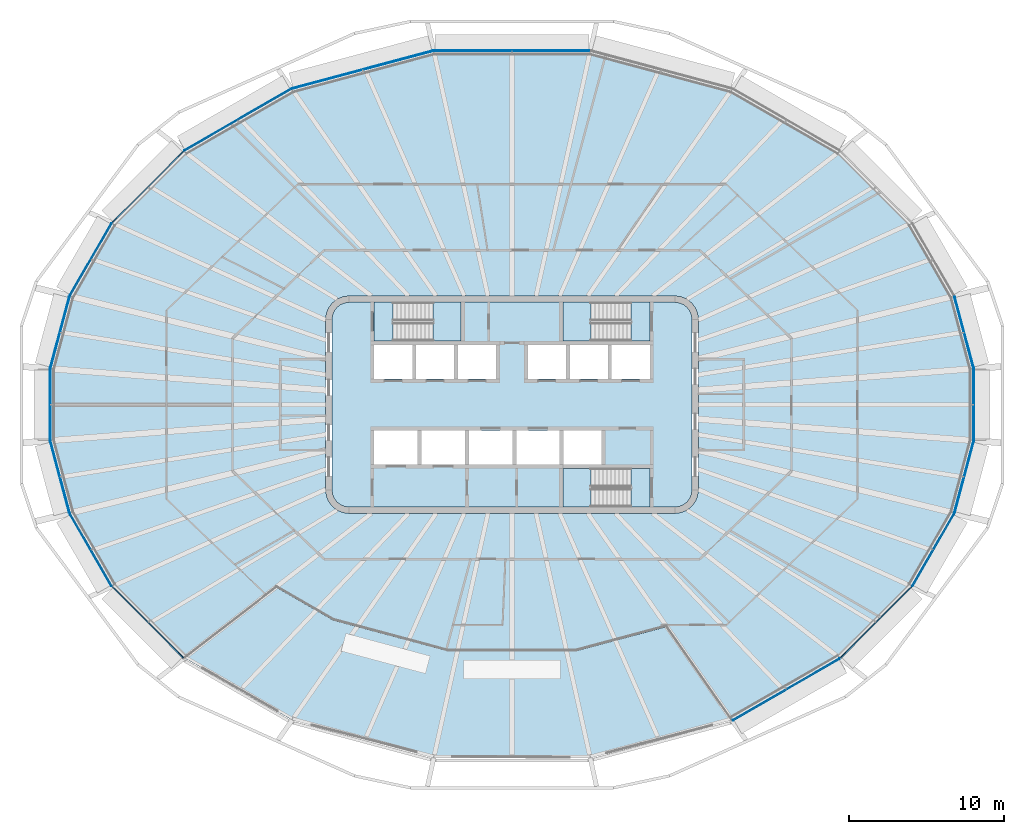
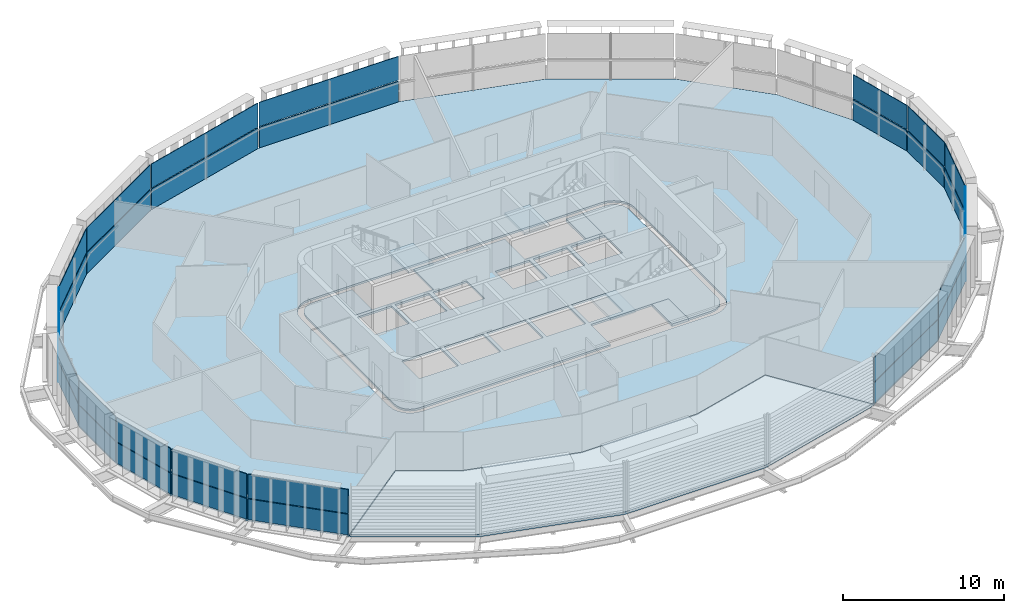
# One storey, part 9 of 20: 32 plates, 9 slabs, 19 elements without a shape of their own.
"""IFC4 building model written with IfcOpenShell, lengths in metres."""

from ifc_helpers import new_model, si_unit, direction, frame, origin, place, context, subcontext, project, spatial, polyline, outline, extrude, material, layer, layer_set, type_object, element, aggregate, save


model = new_model("IFC4")

# Units and contexts
model_context = context("Model", 3, precision=1e-05, world=origin(), true_north=direction((0.0, 1.0)))
body_context = subcontext(model_context, "Body", "Model", "MODEL_VIEW")
ifc_project = project(units=[si_unit("LENGTHUNIT", "METRE"), si_unit("AREAUNIT", "SQUARE_METRE"), si_unit("VOLUMEUNIT", "CUBIC_METRE"), si_unit("PLANEANGLEUNIT", "RADIAN"), si_unit("MASSUNIT", "GRAM", prefix="KILO")], contexts=[model_context])

# Site, building, storey
site_placement = place(None, origin())
site = spatial("IfcSite", under=ifc_project, at=site_placement, CompositionType="ELEMENT")
building_placement = place(site_placement, origin())
building = spatial("IfcBuilding", under=site, at=building_placement, Name="Sahrelin Media Tower", CompositionType="ELEMENT")
storey_placement = place(building_placement, frame((0.0, 0.0, 271.0)))
storey = spatial("IfcBuildingStorey", under=building, at=storey_placement, Name="L59", CompositionType="ELEMENT", Elevation=271.0)

# Slabs
ifc_material_1 = material(Name="Concrete C40/50", Category="concrete")
ifc_layer_1 = layer(ifc_material_1, 0.14990234375)
ifc_layer_set_1 = layer_set([ifc_layer_1], Name="Composite floor slab 150")
slab_type_1 = type_object("IfcSlabType", Name="Composite floor slab 150", PredefinedType="FLOOR", material=ifc_layer_set_1)
placement_1 = place(storey_placement, frame((0.0, 0.0, -0.14990234375)))
element("IfcSlab", 1, at=placement_1, inside=storey, type_object=slab_type_1, Name="Floor slab L59", PredefinedType="FLOOR", context=body_context, shape_type="SweptSolid", body=[
    extrude(outline(polyline([(28.4873046875, -6.983154296875), (29.73779296875, -2.31591796875), (29.73779296875, 2.31591796875), (28.4873046875, 6.983154296875), (25.760009765625, 11.707275390625), (21.13427734375, 16.3330078125), (14.18994140625, 20.34228515625), (5.04833984375, 22.791748046875), (-5.04833984375, 22.791748046875), (-14.18994140625, 20.34228515625), (-21.13427734375, 16.3330078125), (-25.760009765625, 11.707275390625), (-28.4873046875, 6.983154296875), (-29.73779296875, 2.31591796875), (-29.73779296875, -2.31591796875), (-28.4873046875, -6.983154296875), (-25.760009765625, -11.707275390625), (-21.13427734375, -16.3330078125), (-21.12939453125, -16.335693359375), (-15.161376953125, -11.7216796875), (-11.49560546875, -13.837890625), (-4.12939453125, -15.811767578125), (4.12939453125, -15.811767578125), (9.939697265625, -14.254638671875), (14.185302734375, -20.343505859375), (14.18994140625, -20.34228515625), (21.13427734375, -16.3330078125), (25.760009765625, -11.707275390625), (28.4873046875, -6.983154296875)]), holes=[polyline([(11.799072265625, 6.25), (11.948974609375, 5.88818359375), (12.0, 5.5), (12.0, -5.5), (11.948974609375, -5.88818359375), (11.799072265625, -6.25), (11.560791015625, -6.560791015625), (11.25, -6.799072265625), (10.88818359375, -6.948974609375), (10.5, -7.0), (-10.5, -7.0), (-10.88818359375, -6.948974609375), (-11.25, -6.799072265625), (-11.560791015625, -6.560791015625), (-11.799072265625, -6.25), (-11.948974609375, -5.88818359375), (-12.0, -5.5), (-12.0, 5.5), (-11.948974609375, 5.88818359375), (-11.799072265625, 6.25), (-11.560791015625, 6.560791015625), (-11.25, 6.799072265625), (-10.88818359375, 6.948974609375), (-10.5, 7.0), (10.5, 7.0), (10.88818359375, 6.948974609375), (11.25, 6.799072265625), (11.560791015625, 6.560791015625), (11.799072265625, 6.25)])]), origin(), (0.0, 0.0, 1.0), 0.14990234375),
])
ifc_layer_2 = layer(ifc_material_1, 0.14990234375)
ifc_layer_set_2 = layer_set([ifc_layer_2], Name="Core floor slab 150")
slab_type_2 = type_object("IfcSlabType", Name="Core floor slab 150", PredefinedType="FLOOR", material=ifc_layer_set_2)
element("IfcSlab", 2, at=placement_1, inside=storey, type_object=slab_type_2, Name="Core floor", PredefinedType="FLOOR", context=body_context, shape_type="SweptSolid", body=[
    extrude(outline(polyline([(-11.60009765625, -5.473876953125), (-11.55908203125, -5.78369140625), (-11.44970703125, -6.04833984375), (-11.275390625, -6.275390625), (-11.04833984375, -6.44970703125), (-10.78369140625, -6.55908203125), (-10.473876953125, -6.60009765625), (3.27490234375, -6.60009765625), (3.27490234375, -4.10009765625), (8.875, -4.10009765625), (8.875, -6.60009765625), (10.473876953125, -6.60009765625), (10.78369140625, -6.55908203125), (11.04833984375, -6.44970703125), (11.275390625, -6.275390625), (11.44970703125, -6.04833984375), (11.55908203125, -5.78369140625), (11.60009765625, -5.473876953125), (11.60009765625, 5.473876953125), (11.55908203125, 5.78369140625), (11.44970703125, 6.04833984375), (11.275390625, 6.275390625), (11.04833984375, 6.44970703125), (10.78369140625, 6.55908203125), (10.473876953125, 6.60009765625), (8.875, 6.60009765625), (8.875, 4.10009765625), (3.27490234375, 4.10009765625), (3.27490234375, 6.60009765625), (-3.27490234375, 6.60009765625), (-3.27490234375, 4.10009765625), (-8.875, 4.10009765625), (-8.875, 6.60009765625), (-10.473876953125, 6.60009765625), (-10.78369140625, 6.55908203125), (-11.04833984375, 6.44970703125), (-11.275390625, 6.275390625), (-11.44970703125, 6.04833984375), (-11.55908203125, 5.78369140625), (-11.60009765625, 5.473876953125), (-11.60009765625, -5.473876953125)]), holes=[polyline([(-8.875, 3.85009765625), (-8.875, 1.64990234375), (-6.425048828125, 1.64990234375), (-6.425048828125, 3.85009765625), (-8.875, 3.85009765625)]), polyline([(-3.72509765625, 3.85009765625), (-6.175048828125, 3.85009765625), (-6.175048828125, 1.64990234375), (-3.72509765625, 1.64990234375), (-3.72509765625, 3.85009765625)]), polyline([(-1.02490234375, 1.64990234375), (-1.02490234375, 3.85009765625), (-3.47509765625, 3.85009765625), (-3.47509765625, 1.64990234375), (-1.02490234375, 1.64990234375)]), polyline([(1.02490234375, 1.64990234375), (3.47509765625, 1.64990234375), (3.47509765625, 3.85009765625), (1.02490234375, 3.85009765625), (1.02490234375, 1.64990234375)]), polyline([(3.72509765625, 3.85009765625), (3.72509765625, 1.64990234375), (6.175048828125, 1.64990234375), (6.175048828125, 3.85009765625), (3.72509765625, 3.85009765625)]), polyline([(8.875, 3.85009765625), (6.425048828125, 3.85009765625), (6.425048828125, 1.64990234375), (8.875, 1.64990234375), (8.875, 3.85009765625)]), polyline([(-6.074951171875, -3.85009765625), (-6.074951171875, -1.64990234375), (-8.875, -1.64990234375), (-8.875, -3.85009765625), (-6.074951171875, -3.85009765625)]), polyline([(-5.824951171875, -3.85009765625), (-3.02490234375, -3.85009765625), (-3.02490234375, -1.64990234375), (-5.824951171875, -1.64990234375), (-5.824951171875, -3.85009765625)]), polyline([(-2.77490234375, -1.64990234375), (-2.77490234375, -3.85009765625), (0.02490234375, -3.85009765625), (0.02490234375, -1.64990234375), (-2.77490234375, -1.64990234375)]), polyline([(3.074951171875, -1.64990234375), (0.27490234375, -1.64990234375), (0.27490234375, -3.85009765625), (3.074951171875, -3.85009765625), (3.074951171875, -1.64990234375)]), polyline([(5.77490234375, -3.85009765625), (5.77490234375, -1.64990234375), (3.324951171875, -1.64990234375), (3.324951171875, -3.85009765625), (5.77490234375, -3.85009765625)])]), origin(), (0.0, 0.0, 1.0), 0.14990234375),
])

# Curtain wall, plate
ifc_material_2 = material(Name="Champagne anodised aluminium 6063-T6", Category="aluminium")
ifc_layer_3 = layer(ifc_material_2, 0.14990234375)
ifc_layer_set_3 = layer_set([ifc_layer_3], Name="Tower ribbon curtain wall")
curtain_wall_type = type_object("IfcCurtainWallType", Name="Tower ribbon curtain wall", PredefinedType="NOTDEFINED", material=ifc_layer_set_3)
curtain_wall_1_placement = place(storey_placement, frame((29.7578125, 0.0, 0.0), z_axis=(0.0, 0.0, 1.0), x_axis=(1.0, 0.0, 0.0)))
curtain_wall_1 = element("IfcCurtainWall", 3, at=curtain_wall_1_placement, inside=storey, type_object=curtain_wall_type, Name="L59:CW:L59-00", PredefinedType="NOTDEFINED")
ifc_material_3 = material(Name="Clear low-iron glazing", Category="glass")
ifc_layer_4 = layer(ifc_material_3, 0.048095703125)
ifc_layer_set_4 = layer_set([ifc_layer_4], Name="Glazing panel 48 mm CW1C")
plate_type_1 = type_object("IfcPlateType", Name="Glazing panel 48 mm CW1C", PredefinedType="CURTAIN_PANEL", material=ifc_layer_set_4)
plate_1_placement = place(storey_placement, frame((29.77783203125, -2.2685546875, 1.6298828125), z_axis=(1.0, 0.0, 0.0), x_axis=(0.0, 1.0, 0.0)))
plate_1 = element("IfcPlate", 4, at=plate_1_placement, type_object=plate_type_1, Name="L59:CWP2:L59-00", PredefinedType="CURTAIN_PANEL", context=body_context, shape_type="SweptSolid", body=[
    extrude(outline(polyline([(0.0, 0.0), (4.537109375, 0.0), (4.537109375, 1.818603515625), (0.0, 1.818603515625), (0.0, 0.0)])), origin(), (0.0, 0.0, -1.0), 0.048095703125),
])

curtain_wall_2_placement = place(storey_placement, frame((29.1318359375, 4.65478515625, 0.0), z_axis=(0.0, 0.0, 1.0), x_axis=(1.0, 0.0, 0.0)))
curtain_wall_2 = element("IfcCurtainWall", 5, at=curtain_wall_2_placement, inside=storey, type_object=curtain_wall_type, Name="L59:CW:L59-01", PredefinedType="NOTDEFINED")
plate_2_placement = place(storey_placement, frame((29.764404296875, 2.3720703125, 1.6298828125), z_axis=(0.965924586333, 0.258823672637, 0.0), x_axis=(-0.258823672637, 0.965924586333, 0.0)))
plate_2 = element("IfcPlate", 6, at=plate_2_placement, type_object=plate_type_1, Name="L59:CWP2:L59-01", PredefinedType="CURTAIN_PANEL", context=body_context, shape_type="SweptSolid", body=[
    extrude(outline(polyline([(0.0, 0.0), (4.737060546875, 0.0), (4.737060546875, 1.818603515625), (0.0, 1.818603515625), (0.0, 0.0)])), origin(), (0.0, 0.0, -1.0), 0.048095703125),
])

curtain_wall_3_placement = place(storey_placement, frame((0.0, 22.811767578125, 0.0), z_axis=(0.0, 0.0, 1.0), x_axis=(1.0, 0.0, 0.0)))
curtain_wall_3 = element("IfcCurtainWall", 7, at=curtain_wall_3_placement, inside=storey, type_object=curtain_wall_type, Name="L59:CW:L59-06", PredefinedType="NOTDEFINED")
plate_3_placement = place(storey_placement, frame((5.0009765625, 22.831787109375, 1.6298828125), z_axis=(0.0, 1.0, 0.0), x_axis=(-1.0, 0.0, 0.0)))
plate_3 = element("IfcPlate", 8, at=plate_3_placement, type_object=plate_type_1, Name="L59:CWP2:L59-06", PredefinedType="CURTAIN_PANEL", context=body_context, shape_type="SweptSolid", body=[
    extrude(outline(polyline([(0.0, 0.0), (10.001953125, 0.0), (10.001953125, 1.818603515625), (0.0, 1.818603515625), (0.0, 0.0)])), origin(), (0.0, 0.0, -1.0), 0.048095703125),
])

curtain_wall_4_placement = place(storey_placement, frame((-9.624267578125, 21.586181640625, 0.0), z_axis=(0.0, 0.0, 1.0), x_axis=(1.0, 0.0, 0.0)))
curtain_wall_4 = element("IfcCurtainWall", 9, at=curtain_wall_4_placement, inside=storey, type_object=curtain_wall_type, Name="L59:CW:L59-07", PredefinedType="NOTDEFINED")
plate_4_placement = place(storey_placement, frame((-5.1044921875, 22.818115234375, 1.6298828125), z_axis=(-0.258828560431, 0.965923276614, 0.0), x_axis=(-0.965923276614, -0.258828560431, 0.0)))
plate_4 = element("IfcPlate", 10, at=plate_4_placement, type_object=plate_type_1, Name="L59:CWP2:L59-07", PredefinedType="CURTAIN_PANEL", context=body_context, shape_type="SweptSolid", body=[
    extrude(outline(polyline([(0.0, 0.0), (9.369384765625, 0.0), (9.369384765625, 1.818603515625), (0.0, 1.818603515625), (0.0, 0.0)])), origin(), (0.0, 0.0, -1.0), 0.048095703125),
])

curtain_wall_5_placement = place(storey_placement, frame((-17.672119140625, 18.354736328125, 0.0), z_axis=(0.0, 0.0, 1.0), x_axis=(1.0, 0.0, 0.0)))
curtain_wall_5 = element("IfcCurtainWall", 11, at=curtain_wall_5_placement, inside=storey, type_object=curtain_wall_type, Name="L59:CW:L59-08", PredefinedType="NOTDEFINED")
plate_5_placement = place(storey_placement, frame((-14.2509765625, 20.35302734375, 1.6298828125), z_axis=(-0.499996271135, 0.866027556635, 0.0), x_axis=(-0.866027556635, -0.499996271135, 0.0)))
plate_5 = element("IfcPlate", 12, at=plate_5_placement, type_object=plate_type_1, Name="L59:CWP2:L59-08", PredefinedType="CURTAIN_PANEL", context=body_context, shape_type="SweptSolid", body=[
    extrude(outline(polyline([(0.0, 0.0), (7.923828125, 0.0), (7.923828125, 1.818603515625), (0.0, 1.818603515625), (0.0, 0.0)])), origin(), (0.0, 0.0, -1.0), 0.048095703125),
])

curtain_wall_6_placement = place(storey_placement, frame((-23.461181640625, 14.0341796875, 0.0), z_axis=(0.0, 0.0, 1.0), x_axis=(1.0, 0.0, 0.0)))
curtain_wall_6 = element("IfcCurtainWall", 13, at=curtain_wall_6_placement, inside=storey, type_object=curtain_wall_type, Name="L59:CW:L59-09", PredefinedType="NOTDEFINED")
plate_6_placement = place(storey_placement, frame((-21.196044921875, 16.32763671875, 1.6298828125), z_axis=(-0.707106781187, 0.707106781187, 0.0), x_axis=(-0.707106781187, -0.707106781187, 0.0)))
plate_6 = element("IfcPlate", 14, at=plate_6_placement, type_object=plate_type_1, Name="L59:CWP2:L59-09", PredefinedType="CURTAIN_PANEL", context=body_context, shape_type="SweptSolid", body=[
    extrude(outline(polyline([(0.0, 0.0), (6.44677734375, 0.0), (6.44677734375, 1.818603515625), (0.0, 1.818603515625), (0.0, 0.0)])), origin(), (0.0, 0.0, -1.0), 0.048095703125),
])

curtain_wall_7_placement = place(storey_placement, frame((-27.14111328125, 9.355224609375, 0.0), z_axis=(0.0, 0.0, 1.0), x_axis=(1.0, 0.0, 0.0)))
curtain_wall_7 = element("IfcCurtainWall", 15, at=curtain_wall_7_placement, inside=storey, type_object=curtain_wall_type, Name="L59:CW:L59-10", PredefinedType="NOTDEFINED")
plate_7_placement = place(storey_placement, frame((-25.818115234375, 11.686279296875, 1.6298828125), z_axis=(-0.866020236886, 0.500008949224, 0.0), x_axis=(-0.500008949224, -0.866020236886, 0.0)))
plate_7 = element("IfcPlate", 16, at=plate_7_placement, type_object=plate_type_1, Name="L59:CWP2:L59-10", PredefinedType="CURTAIN_PANEL", context=body_context, shape_type="SweptSolid", body=[
    extrude(outline(polyline([(0.0, 0.0), (5.3603515625, 0.0), (5.3603515625, 1.818603515625), (0.0, 1.818603515625), (0.0, 0.0)])), origin(), (0.0, 0.0, -1.0), 0.048095703125),
])

curtain_wall_8_placement = place(storey_placement, frame((-29.132080078125, 4.65478515625, 0.0), z_axis=(0.0, 0.0, 1.0), x_axis=(1.0, 0.0, 0.0)))
curtain_wall_8 = element("IfcCurtainWall", 17, at=curtain_wall_8_placement, inside=storey, type_object=curtain_wall_type, Name="L59:CW:L59-11", PredefinedType="NOTDEFINED")
plate_8_placement = place(storey_placement, frame((-28.538330078125, 6.94775390625, 1.6298828125), z_axis=(-0.965924586333, 0.258823672637, 0.0), x_axis=(-0.258823672637, -0.965924586333, 0.0)))
plate_8 = element("IfcPlate", 18, at=plate_8_placement, type_object=plate_type_1, Name="L59:CWP2:L59-11", PredefinedType="CURTAIN_PANEL", context=body_context, shape_type="SweptSolid", body=[
    extrude(outline(polyline([(0.0, 0.0), (4.737060546875, 0.0), (4.737060546875, 1.818603515625), (0.0, 1.818603515625), (0.0, 0.0)])), origin(), (0.0, 0.0, -1.0), 0.048095703125),
])

curtain_wall_9_placement = place(storey_placement, frame((-29.7578125, 0.0, 0.0), z_axis=(0.0, 0.0, 1.0), x_axis=(1.0, 0.0, 0.0)))
curtain_wall_9 = element("IfcCurtainWall", 19, at=curtain_wall_9_placement, inside=storey, type_object=curtain_wall_type, Name="L59:CW:L59-12", PredefinedType="NOTDEFINED")
plate_9_placement = place(storey_placement, frame((-29.77783203125, 2.2685546875, 1.6298828125), z_axis=(-1.0, 0.0, 0.0), x_axis=(0.0, -1.0, 0.0)))
plate_9 = element("IfcPlate", 20, at=plate_9_placement, type_object=plate_type_1, Name="L59:CWP2:L59-12", PredefinedType="CURTAIN_PANEL", context=body_context, shape_type="SweptSolid", body=[
    extrude(outline(polyline([(0.0, 0.0), (4.537109375, 0.0), (4.537109375, 1.818603515625), (0.0, 1.818603515625), (0.0, 0.0)])), origin(), (0.0, 0.0, -1.0), 0.048095703125),
])

curtain_wall_10_placement = place(storey_placement, frame((-29.1318359375, -4.65478515625, 0.0), z_axis=(0.0, 0.0, 1.0), x_axis=(1.0, 0.0, 0.0)))
curtain_wall_10 = element("IfcCurtainWall", 21, at=curtain_wall_10_placement, inside=storey, type_object=curtain_wall_type, Name="L59:CW:L59-13", PredefinedType="NOTDEFINED")
plate_10_placement = place(storey_placement, frame((-29.764404296875, -2.3720703125, 1.6298828125), z_axis=(-0.965924586333, -0.258823672637, 0.0), x_axis=(0.258823672637, -0.965924586333, 0.0)))
plate_10 = element("IfcPlate", 22, at=plate_10_placement, type_object=plate_type_1, Name="L59:CWP2:L59-13", PredefinedType="CURTAIN_PANEL", context=body_context, shape_type="SweptSolid", body=[
    extrude(outline(polyline([(0.0, 0.0), (4.737060546875, 0.0), (4.737060546875, 1.818603515625), (0.0, 1.818603515625), (0.0, 0.0)])), origin(), (0.0, 0.0, -1.0), 0.048095703125),
])

curtain_wall_11_placement = place(storey_placement, frame((-27.140869140625, -9.355224609375, 0.0), z_axis=(0.0, 0.0, 1.0), x_axis=(1.0, 0.0, 0.0)))
curtain_wall_11 = element("IfcCurtainWall", 23, at=curtain_wall_11_placement, inside=storey, type_object=curtain_wall_type, Name="L59:CW:L59-14", PredefinedType="NOTDEFINED")
plate_11_placement = place(storey_placement, frame((-28.498291015625, -7.044189453125, 1.6298828125), z_axis=(-0.866020236886, -0.500008949224, 0.0), x_axis=(0.500008949224, -0.866020236886, 0.0)))
plate_11 = element("IfcPlate", 24, at=plate_11_placement, type_object=plate_type_1, Name="L59:CWP2:L59-14", PredefinedType="CURTAIN_PANEL", context=body_context, shape_type="SweptSolid", body=[
    extrude(outline(polyline([(0.0, 0.0), (5.3603515625, 0.0), (5.3603515625, 1.818603515625), (0.0, 1.818603515625), (0.0, 0.0)])), origin(), (0.0, 0.0, -1.0), 0.048095703125),
])

curtain_wall_12_placement = place(storey_placement, frame((-23.461181640625, -14.0341796875, 0.0), z_axis=(0.0, 0.0, 1.0), x_axis=(1.0, 0.0, 0.0)))
curtain_wall_12 = element("IfcCurtainWall", 25, at=curtain_wall_12_placement, inside=storey, type_object=curtain_wall_type, Name="L59:CW:L59-15", PredefinedType="NOTDEFINED")
plate_12_placement = place(storey_placement, frame((-25.754638671875, -11.76904296875, 1.6298828125), z_axis=(-0.707106781187, -0.707106781187, 0.0), x_axis=(0.707106781187, -0.707106781187, 0.0)))
plate_12 = element("IfcPlate", 26, at=plate_12_placement, type_object=plate_type_1, Name="L59:CWP2:L59-15", PredefinedType="CURTAIN_PANEL", context=body_context, shape_type="SweptSolid", body=[
    extrude(outline(polyline([(0.0, 0.0), (6.44677734375, 0.0), (6.44677734375, 1.818603515625), (0.0, 1.818603515625), (0.0, 0.0)])), origin(), (0.0, 0.0, -1.0), 0.048095703125),
])

curtain_wall_13_placement = place(storey_placement, frame((17.672119140625, -18.354736328125, 0.0), z_axis=(0.0, 0.0, 1.0), x_axis=(1.0, 0.0, 0.0)))
curtain_wall_13 = element("IfcCurtainWall", 27, at=curtain_wall_13_placement, inside=storey, type_object=curtain_wall_type, Name="L59:CW:L59-20", PredefinedType="NOTDEFINED")
plate_13_placement = place(storey_placement, frame((14.2509765625, -20.35302734375, 1.6298828125), z_axis=(0.499996271135, -0.866027556635, 0.0), x_axis=(0.866027556635, 0.499996271135, 0.0)))
plate_13 = element("IfcPlate", 28, at=plate_13_placement, type_object=plate_type_1, Name="L59:CWP2:L59-20", PredefinedType="CURTAIN_PANEL", context=body_context, shape_type="SweptSolid", body=[
    extrude(outline(polyline([(0.0, 0.0), (7.923828125, 0.0), (7.923828125, 1.818603515625), (0.0, 1.818603515625), (0.0, 0.0)])), origin(), (0.0, 0.0, -1.0), 0.048095703125),
])

curtain_wall_14_placement = place(storey_placement, frame((23.461181640625, -14.0341796875, 0.0), z_axis=(0.0, 0.0, 1.0), x_axis=(1.0, 0.0, 0.0)))
curtain_wall_14 = element("IfcCurtainWall", 29, at=curtain_wall_14_placement, inside=storey, type_object=curtain_wall_type, Name="L59:CW:L59-21", PredefinedType="NOTDEFINED")
plate_14_placement = place(storey_placement, frame((21.196044921875, -16.32763671875, 1.6298828125), z_axis=(0.707106781187, -0.707106781187, 0.0), x_axis=(0.707106781187, 0.707106781187, 0.0)))
plate_14 = element("IfcPlate", 30, at=plate_14_placement, type_object=plate_type_1, Name="L59:CWP2:L59-21", PredefinedType="CURTAIN_PANEL", context=body_context, shape_type="SweptSolid", body=[
    extrude(outline(polyline([(0.0, 0.0), (6.44677734375, 0.0), (6.44677734375, 1.818603515625), (0.0, 1.818603515625), (0.0, 0.0)])), origin(), (0.0, 0.0, -1.0), 0.048095703125),
])

curtain_wall_15_placement = place(storey_placement, frame((27.14111328125, -9.355224609375, 0.0), z_axis=(0.0, 0.0, 1.0), x_axis=(1.0, 0.0, 0.0)))
curtain_wall_15 = element("IfcCurtainWall", 31, at=curtain_wall_15_placement, inside=storey, type_object=curtain_wall_type, Name="L59:CW:L59-22", PredefinedType="NOTDEFINED")
plate_15_placement = place(storey_placement, frame((25.818115234375, -11.686279296875, 1.6298828125), z_axis=(0.866020236886, -0.500008949224, 0.0), x_axis=(0.500008949224, 0.866020236886, 0.0)))
plate_15 = element("IfcPlate", 32, at=plate_15_placement, type_object=plate_type_1, Name="L59:CWP2:L59-22", PredefinedType="CURTAIN_PANEL", context=body_context, shape_type="SweptSolid", body=[
    extrude(outline(polyline([(0.0, 0.0), (5.3603515625, 0.0), (5.3603515625, 1.818603515625), (0.0, 1.818603515625), (0.0, 0.0)])), origin(), (0.0, 0.0, -1.0), 0.048095703125),
])

curtain_wall_16_placement = place(storey_placement, frame((29.132080078125, -4.65478515625, 0.0), z_axis=(0.0, 0.0, 1.0), x_axis=(1.0, 0.0, 0.0)))
curtain_wall_16 = element("IfcCurtainWall", 33, at=curtain_wall_16_placement, inside=storey, type_object=curtain_wall_type, Name="L59:CW:L59-23", PredefinedType="NOTDEFINED")
plate_16_placement = place(storey_placement, frame((28.538330078125, -6.94775390625, 1.6298828125), z_axis=(0.965924586333, -0.258823672637, 0.0), x_axis=(0.258823672637, 0.965924586333, 0.0)))
plate_16 = element("IfcPlate", 34, at=plate_16_placement, type_object=plate_type_1, Name="L59:CWP2:L59-23", PredefinedType="CURTAIN_PANEL", context=body_context, shape_type="SweptSolid", body=[
    extrude(outline(polyline([(0.0, 0.0), (4.737060546875, 0.0), (4.737060546875, 1.818603515625), (0.0, 1.818603515625), (0.0, 0.0)])), origin(), (0.0, 0.0, -1.0), 0.048095703125),
])

# Slab
ifc_layer_5 = layer(ifc_material_1, 0.199951171875)
ifc_layer_set_5 = layer_set([ifc_layer_5], Name="Sky garden terrace slab")
slab_type_3 = type_object("IfcSlabType", Name="Sky garden terrace slab", PredefinedType="FLOOR", material=ifc_layer_set_5)
placement_2 = place(storey_placement, frame((0.0, 0.0, -0.199951171875)))
element("IfcSlab", 35, at=placement_2, inside=storey, type_object=slab_type_3, Name="Sky garden terrace G5", PredefinedType="FLOOR", context=body_context, shape_type="SweptSolid", body=[
    extrude(outline(polyline([(-5.04443359375, -22.76171875), (-14.17822265625, -20.314208984375), (-21.056884765625, -16.343017578125), (-15.1572265625, -11.78173828125), (-11.514892578125, -13.884521484375), (-4.135986328125, -15.86181640625), (4.135986328125, -15.86181640625), (9.9189453125, -14.31201171875), (14.11572265625, -20.330810546875), (5.04443359375, -22.76171875), (-5.04443359375, -22.76171875)])), origin(), (0.0, 0.0, 1.0), 0.199951171875),
])

# Plate
ifc_material_4 = material(Name="Insulated spandrel panel")
ifc_layer_6 = layer(ifc_material_4, 0.06005859375)
ifc_layer_set_6 = layer_set([ifc_layer_6], Name="Spandrel panel 60 mm CW1")
plate_type_2 = type_object("IfcPlateType", Name="Spandrel panel 60 mm CW1", PredefinedType="SHEET", material=ifc_layer_set_6)
plate_17_placement = place(storey_placement, frame((29.77783203125, -2.2685546875, 0.0), z_axis=(1.0, 0.0, 0.0), x_axis=(0.0, 1.0, 0.0)))
plate_17 = element("IfcPlate", 36, at=plate_17_placement, type_object=plate_type_2, Name="L59:CWP1:L59-00", PredefinedType="SHEET", context=body_context, shape_type="SweptSolid", body=[
    extrude(outline(polyline([(0.0, 0.0), (4.537109375, 0.0), (4.537109375, 1.570068359375), (0.0, 1.570068359375), (0.0, 0.0)])), origin(), (0.0, 0.0, -1.0), 0.06005859375),
])

aggregate(curtain_wall_1, [plate_17, plate_1])

plate_18_placement = place(storey_placement, frame((29.764404296875, 2.3720703125, 0.0), z_axis=(0.965924586333, 0.258823672637, 0.0), x_axis=(-0.258823672637, 0.965924586333, 0.0)))
plate_18 = element("IfcPlate", 37, at=plate_18_placement, type_object=plate_type_2, Name="L59:CWP1:L59-01", PredefinedType="SHEET", context=body_context, shape_type="SweptSolid", body=[
    extrude(outline(polyline([(0.0, 0.0), (4.737060546875, 0.0), (4.737060546875, 1.570068359375), (0.0, 1.570068359375), (0.0, 0.0)])), origin(), (0.0, 0.0, -1.0), 0.06005859375),
])

aggregate(curtain_wall_2, [plate_18, plate_2])

plate_19_placement = place(storey_placement, frame((5.0009765625, 22.831787109375, 0.0), z_axis=(0.0, 1.0, 0.0), x_axis=(-1.0, 0.0, 0.0)))
plate_19 = element("IfcPlate", 38, at=plate_19_placement, type_object=plate_type_2, Name="L59:CWP1:L59-06", PredefinedType="SHEET", context=body_context, shape_type="SweptSolid", body=[
    extrude(outline(polyline([(0.0, 0.0), (10.001953125, 0.0), (10.001953125, 1.570068359375), (0.0, 1.570068359375), (0.0, 0.0)])), origin(), (0.0, 0.0, -1.0), 0.06005859375),
])

aggregate(curtain_wall_3, [plate_19, plate_3])

plate_20_placement = place(storey_placement, frame((-5.1044921875, 22.818115234375, 0.0), z_axis=(-0.258828560431, 0.965923276614, 0.0), x_axis=(-0.965923276614, -0.258828560431, 0.0)))
plate_20 = element("IfcPlate", 39, at=plate_20_placement, type_object=plate_type_2, Name="L59:CWP1:L59-07", PredefinedType="SHEET", context=body_context, shape_type="SweptSolid", body=[
    extrude(outline(polyline([(0.0, 0.0), (9.369384765625, 0.0), (9.369384765625, 1.570068359375), (0.0, 1.570068359375), (0.0, 0.0)])), origin(), (0.0, 0.0, -1.0), 0.06005859375),
])

aggregate(curtain_wall_4, [plate_20, plate_4])

plate_21_placement = place(storey_placement, frame((-14.2509765625, 20.35302734375, 0.0), z_axis=(-0.499996271135, 0.866027556635, 0.0), x_axis=(-0.866027556635, -0.499996271135, 0.0)))
plate_21 = element("IfcPlate", 40, at=plate_21_placement, type_object=plate_type_2, Name="L59:CWP1:L59-08", PredefinedType="SHEET", context=body_context, shape_type="SweptSolid", body=[
    extrude(outline(polyline([(0.0, 0.0), (7.923828125, 0.0), (7.923828125, 1.570068359375), (0.0, 1.570068359375), (0.0, 0.0)])), origin(), (0.0, 0.0, -1.0), 0.06005859375),
])

aggregate(curtain_wall_5, [plate_21, plate_5])

plate_22_placement = place(storey_placement, frame((-21.196044921875, 16.32763671875, 0.0), z_axis=(-0.707106781187, 0.707106781187, 0.0), x_axis=(-0.707106781187, -0.707106781187, 0.0)))
plate_22 = element("IfcPlate", 41, at=plate_22_placement, type_object=plate_type_2, Name="L59:CWP1:L59-09", PredefinedType="SHEET", context=body_context, shape_type="SweptSolid", body=[
    extrude(outline(polyline([(0.0, 0.0), (6.44677734375, 0.0), (6.44677734375, 1.570068359375), (0.0, 1.570068359375), (0.0, 0.0)])), origin(), (0.0, 0.0, -1.0), 0.06005859375),
])

aggregate(curtain_wall_6, [plate_22, plate_6])

plate_23_placement = place(storey_placement, frame((-25.818115234375, 11.686279296875, 0.0), z_axis=(-0.866020236886, 0.500008949224, 0.0), x_axis=(-0.500008949224, -0.866020236886, 0.0)))
plate_23 = element("IfcPlate", 42, at=plate_23_placement, type_object=plate_type_2, Name="L59:CWP1:L59-10", PredefinedType="SHEET", context=body_context, shape_type="SweptSolid", body=[
    extrude(outline(polyline([(0.0, 0.0), (5.3603515625, 0.0), (5.3603515625, 1.570068359375), (0.0, 1.570068359375), (0.0, 0.0)])), origin(), (0.0, 0.0, -1.0), 0.06005859375),
])

aggregate(curtain_wall_7, [plate_23, plate_7])

plate_24_placement = place(storey_placement, frame((-28.538330078125, 6.94775390625, 0.0), z_axis=(-0.965924586333, 0.258823672637, 0.0), x_axis=(-0.258823672637, -0.965924586333, 0.0)))
plate_24 = element("IfcPlate", 43, at=plate_24_placement, type_object=plate_type_2, Name="L59:CWP1:L59-11", PredefinedType="SHEET", context=body_context, shape_type="SweptSolid", body=[
    extrude(outline(polyline([(0.0, 0.0), (4.737060546875, 0.0), (4.737060546875, 1.570068359375), (0.0, 1.570068359375), (0.0, 0.0)])), origin(), (0.0, 0.0, -1.0), 0.06005859375),
])

aggregate(curtain_wall_8, [plate_24, plate_8])

plate_25_placement = place(storey_placement, frame((-29.77783203125, 2.2685546875, 0.0), z_axis=(-1.0, 0.0, 0.0), x_axis=(0.0, -1.0, 0.0)))
plate_25 = element("IfcPlate", 44, at=plate_25_placement, type_object=plate_type_2, Name="L59:CWP1:L59-12", PredefinedType="SHEET", context=body_context, shape_type="SweptSolid", body=[
    extrude(outline(polyline([(0.0, 0.0), (4.537109375, 0.0), (4.537109375, 1.570068359375), (0.0, 1.570068359375), (0.0, 0.0)])), origin(), (0.0, 0.0, -1.0), 0.06005859375),
])

aggregate(curtain_wall_9, [plate_25, plate_9])

plate_26_placement = place(storey_placement, frame((-29.764404296875, -2.3720703125, 0.0), z_axis=(-0.965924586333, -0.258823672637, 0.0), x_axis=(0.258823672637, -0.965924586333, 0.0)))
plate_26 = element("IfcPlate", 45, at=plate_26_placement, type_object=plate_type_2, Name="L59:CWP1:L59-13", PredefinedType="SHEET", context=body_context, shape_type="SweptSolid", body=[
    extrude(outline(polyline([(0.0, 0.0), (4.737060546875, 0.0), (4.737060546875, 1.570068359375), (0.0, 1.570068359375), (0.0, 0.0)])), origin(), (0.0, 0.0, -1.0), 0.06005859375),
])

aggregate(curtain_wall_10, [plate_26, plate_10])

plate_27_placement = place(storey_placement, frame((-28.498291015625, -7.044189453125, 0.0), z_axis=(-0.866020236886, -0.500008949224, 0.0), x_axis=(0.500008949224, -0.866020236886, 0.0)))
plate_27 = element("IfcPlate", 46, at=plate_27_placement, type_object=plate_type_2, Name="L59:CWP1:L59-14", PredefinedType="SHEET", context=body_context, shape_type="SweptSolid", body=[
    extrude(outline(polyline([(0.0, 0.0), (5.3603515625, 0.0), (5.3603515625, 1.570068359375), (0.0, 1.570068359375), (0.0, 0.0)])), origin(), (0.0, 0.0, -1.0), 0.06005859375),
])

aggregate(curtain_wall_11, [plate_27, plate_11])

plate_28_placement = place(storey_placement, frame((-25.754638671875, -11.76904296875, 0.0), z_axis=(-0.707106781187, -0.707106781187, 0.0), x_axis=(0.707106781187, -0.707106781187, 0.0)))
plate_28 = element("IfcPlate", 47, at=plate_28_placement, type_object=plate_type_2, Name="L59:CWP1:L59-15", PredefinedType="SHEET", context=body_context, shape_type="SweptSolid", body=[
    extrude(outline(polyline([(0.0, 0.0), (6.44677734375, 0.0), (6.44677734375, 1.570068359375), (0.0, 1.570068359375), (0.0, 0.0)])), origin(), (0.0, 0.0, -1.0), 0.06005859375),
])

aggregate(curtain_wall_12, [plate_28, plate_12])

plate_29_placement = place(storey_placement, frame((14.2509765625, -20.35302734375, 0.0), z_axis=(0.499996271135, -0.866027556635, 0.0), x_axis=(0.866027556635, 0.499996271135, 0.0)))
plate_29 = element("IfcPlate", 48, at=plate_29_placement, type_object=plate_type_2, Name="L59:CWP1:L59-20", PredefinedType="SHEET", context=body_context, shape_type="SweptSolid", body=[
    extrude(outline(polyline([(0.0, 0.0), (7.923828125, 0.0), (7.923828125, 1.570068359375), (0.0, 1.570068359375), (0.0, 0.0)])), origin(), (0.0, 0.0, -1.0), 0.06005859375),
])

aggregate(curtain_wall_13, [plate_29, plate_13])

plate_30_placement = place(storey_placement, frame((21.196044921875, -16.32763671875, 0.0), z_axis=(0.707106781187, -0.707106781187, 0.0), x_axis=(0.707106781187, 0.707106781187, 0.0)))
plate_30 = element("IfcPlate", 49, at=plate_30_placement, type_object=plate_type_2, Name="L59:CWP1:L59-21", PredefinedType="SHEET", context=body_context, shape_type="SweptSolid", body=[
    extrude(outline(polyline([(0.0, 0.0), (6.44677734375, 0.0), (6.44677734375, 1.570068359375), (0.0, 1.570068359375), (0.0, 0.0)])), origin(), (0.0, 0.0, -1.0), 0.06005859375),
])

aggregate(curtain_wall_14, [plate_30, plate_14])

plate_31_placement = place(storey_placement, frame((25.818115234375, -11.686279296875, 0.0), z_axis=(0.866020236886, -0.500008949224, 0.0), x_axis=(0.500008949224, 0.866020236886, 0.0)))
plate_31 = element("IfcPlate", 50, at=plate_31_placement, type_object=plate_type_2, Name="L59:CWP1:L59-22", PredefinedType="SHEET", context=body_context, shape_type="SweptSolid", body=[
    extrude(outline(polyline([(0.0, 0.0), (5.3603515625, 0.0), (5.3603515625, 1.570068359375), (0.0, 1.570068359375), (0.0, 0.0)])), origin(), (0.0, 0.0, -1.0), 0.06005859375),
])

aggregate(curtain_wall_15, [plate_31, plate_15])

plate_32_placement = place(storey_placement, frame((28.538330078125, -6.94775390625, 0.0), z_axis=(0.965924586333, -0.258823672637, 0.0), x_axis=(0.258823672637, 0.965924586333, 0.0)))
plate_32 = element("IfcPlate", 51, at=plate_32_placement, type_object=plate_type_2, Name="L59:CWP1:L59-23", PredefinedType="SHEET", context=body_context, shape_type="SweptSolid", body=[
    extrude(outline(polyline([(0.0, 0.0), (4.737060546875, 0.0), (4.737060546875, 1.570068359375), (0.0, 1.570068359375), (0.0, 0.0)])), origin(), (0.0, 0.0, -1.0), 0.06005859375),
])

aggregate(curtain_wall_16, [plate_32, plate_16])

# Stair, slabs
stair_type = type_object("IfcStairType", Name="Exit stair 1200", PredefinedType="HALF_TURN_STAIR", material=ifc_material_1)
placement_3 = place(storey_placement, origin())
stair_1 = element("IfcStair", 52, at=placement_3, inside=storey, type_object=stair_type, Name="L59 Exit stair ST1", PredefinedType="HALF_TURN_STAIR")
ifc_layer_7 = layer(ifc_material_1, 0.199951171875)
ifc_layer_set_7 = layer_set([ifc_layer_7], Name="Stair landing 200")
slab_type_4 = type_object("IfcSlabType", Name="Stair landing 200", PredefinedType="LANDING", material=ifc_layer_set_7)
placement_4 = place(storey_placement, frame((0.0, 0.0, 1.800048828125)))
slab_4 = element("IfcSlab", 53, at=placement_4, type_object=slab_type_4, Name="ST1 landing 1", PredefinedType="LANDING", context=body_context, shape_type="SweptSolid", body=[
    extrude(outline(polyline([(-5.074951171875, 4.10009765625), (-3.27490234375, 4.10009765625), (-3.27490234375, 6.60009765625), (-5.074951171875, 6.60009765625), (-5.074951171875, 4.10009765625)])), origin(), (0.0, 0.0, 1.0), 0.199951171875),
])
slab_5 = element("IfcSlab", 54, at=placement_2, type_object=slab_type_4, Name="ST1 landing 2", PredefinedType="LANDING", context=body_context, shape_type="SweptSolid", body=[
    extrude(outline(polyline([(-8.875, 4.10009765625), (-7.675048828125, 4.10009765625), (-7.675048828125, 6.60009765625), (-8.875, 6.60009765625), (-8.875, 4.10009765625)])), origin(), (0.0, 0.0, 1.0), 0.199951171875),
])
aggregate(stair_1, [slab_4, slab_5])

stair_2 = element("IfcStair", 55, at=placement_3, inside=storey, type_object=stair_type, Name="L59 Exit stair ST3", PredefinedType="HALF_TURN_STAIR")
slab_6 = element("IfcSlab", 56, at=placement_4, type_object=slab_type_4, Name="ST3 landing 1", PredefinedType="LANDING", context=body_context, shape_type="SweptSolid", body=[
    extrude(outline(polyline([(5.074951171875, 6.60009765625), (3.27490234375, 6.60009765625), (3.27490234375, 4.10009765625), (5.074951171875, 4.10009765625), (5.074951171875, 6.60009765625)])), origin(), (0.0, 0.0, 1.0), 0.199951171875),
])
slab_7 = element("IfcSlab", 57, at=placement_2, type_object=slab_type_4, Name="ST3 landing 2", PredefinedType="LANDING", context=body_context, shape_type="SweptSolid", body=[
    extrude(outline(polyline([(8.875, 6.60009765625), (7.675048828125, 6.60009765625), (7.675048828125, 4.10009765625), (8.875, 4.10009765625), (8.875, 6.60009765625)])), origin(), (0.0, 0.0, 1.0), 0.199951171875),
])
aggregate(stair_2, [slab_6, slab_7])

stair_3 = element("IfcStair", 58, at=placement_3, inside=storey, type_object=stair_type, Name="L59 Exit stair ST2", PredefinedType="HALF_TURN_STAIR")
slab_8 = element("IfcSlab", 59, at=placement_4, type_object=slab_type_4, Name="ST2 landing 1", PredefinedType="LANDING", context=body_context, shape_type="SweptSolid", body=[
    extrude(outline(polyline([(5.074951171875, -4.10009765625), (3.27490234375, -4.10009765625), (3.27490234375, -6.60009765625), (5.074951171875, -6.60009765625), (5.074951171875, -4.10009765625)])), origin(), (0.0, 0.0, 1.0), 0.199951171875),
])
slab_9 = element("IfcSlab", 60, at=placement_2, type_object=slab_type_4, Name="ST2 landing 2", PredefinedType="LANDING", context=body_context, shape_type="SweptSolid", body=[
    extrude(outline(polyline([(8.875, -4.10009765625), (7.675048828125, -4.10009765625), (7.675048828125, -6.60009765625), (8.875, -6.60009765625), (8.875, -4.10009765625)])), origin(), (0.0, 0.0, 1.0), 0.199951171875),
])
aggregate(stair_3, [slab_8, slab_9])

save(model, "model.ifc")
